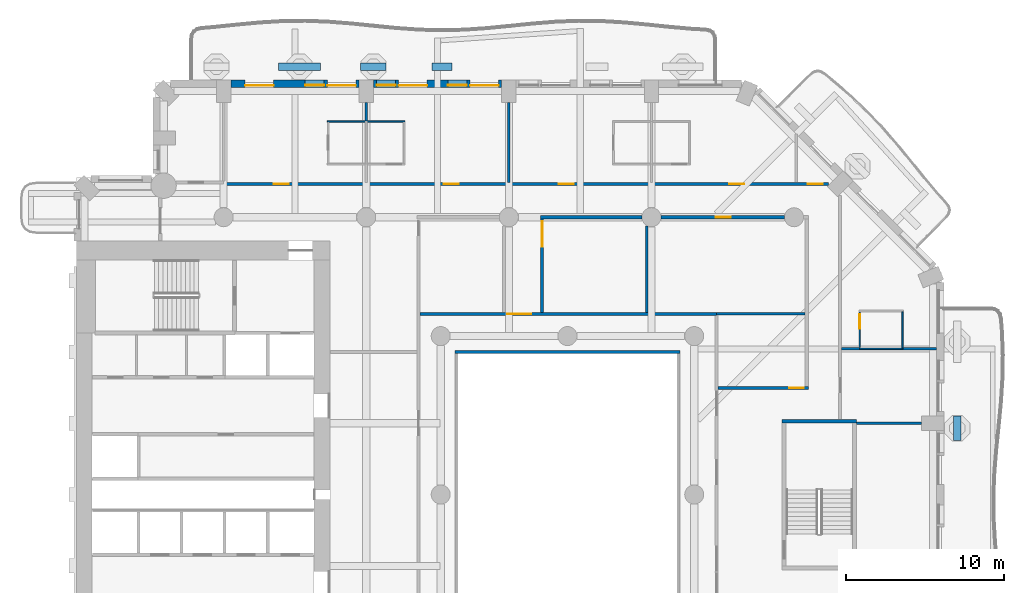
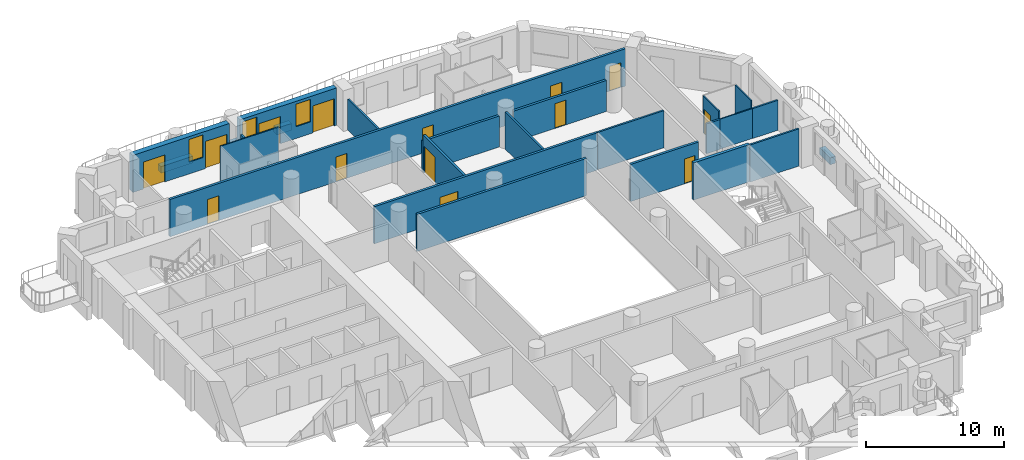
# One storey, part 8 of 19: 25 walls, 14 doors, 3 windows, 17 openings.
"""IFC4 building model written with IfcOpenShell, lengths in metres."""

from ifc_helpers import new_model, si_unit, direction, frame, frame_2d, origin, place, context, subcontext, project, spatial, rectangle, extrude, material, layer, layer_set, type_object, element, fill, save


model = new_model("IFC4")

# Units and contexts
model_context = context("Model", 3, precision=1e-05, world=origin(), true_north=direction((0.0, 1.0)))
body_context = subcontext(model_context, "Body", "Model", "MODEL_VIEW")
ifc_project = project(units=[si_unit("LENGTHUNIT", "METRE"), si_unit("AREAUNIT", "SQUARE_METRE"), si_unit("VOLUMEUNIT", "CUBIC_METRE"), si_unit("PLANEANGLEUNIT", "RADIAN"), si_unit("MASSUNIT", "GRAM", prefix="KILO")], contexts=[model_context])

# Site, building, storey
site_placement = place(None, origin())
site = spatial("IfcSite", under=ifc_project, at=site_placement, CompositionType="ELEMENT")
building_placement = place(site_placement, origin())
building = spatial("IfcBuilding", under=site, at=building_placement, Name="Cypress Arch Tower", CompositionType="ELEMENT")
storey_placement = place(building_placement, frame((0.0, 0.0, 66.300048828125)))
storey = spatial("IfcBuildingStorey", under=building, at=storey_placement, Name="L10", CompositionType="ELEMENT", Elevation=66.300048828125)

# Walls
ifc_material_1 = material(Name="Concrete C40/50, waterproofed", Category="concrete")
ifc_layer_1 = layer(ifc_material_1, 0.449951171875)
ifc_layer_set_1 = layer_set([ifc_layer_1], Name="Balcony planter wall PW450")
wall_type_1 = type_object("IfcWallType", Name="Balcony planter wall PW450", PredefinedType="SOLIDWALL", material=ifc_layer_set_1)
wall_1_placement = place(storey_placement, frame((25.60009765625, 3.42138671875, 0.0), z_axis=(0.0, 0.0, 1.0), x_axis=(0.0, 1.0, 0.0)))
element("IfcWall", 1, at=wall_1_placement, inside=storey, type_object=wall_type_1, Name="Balcony planter wall L10-A06.2", PredefinedType="SOLIDWALL", context=body_context, shape_type="SweptSolid", body=[
    extrude(rectangle(XDim=1.5224609375, YDim=0.449951171875, at=frame_2d((0.76123046875, 0.0))), origin(), (0.0, 0.0, 1.0), 0.599853515625),
])
wall_2_placement = place(storey_placement, frame((-6.300048828125, 27.0, 0.0), z_axis=(0.0, 0.0, 1.0), x_axis=(-1.0, 0.0, 0.0)))
element("IfcWall", 2, at=wall_2_placement, inside=storey, type_object=wall_type_1, Name="Balcony planter wall L10-A08.3", PredefinedType="SOLIDWALL", context=body_context, shape_type="SweptSolid", body=[
    extrude(rectangle(XDim=1.25, YDim=0.449951171875, at=frame_2d((0.625, 0.0))), origin(), (0.0, 0.0, 1.0), 0.599853515625),
])
wall_3_placement = place(storey_placement, frame((-10.4375, 27.0, 0.0), z_axis=(0.0, 0.0, 1.0), x_axis=(-1.0, 0.0, 0.0)))
element("IfcWall", 3, at=wall_3_placement, inside=storey, type_object=wall_type_1, Name="Balcony planter wall L10-A08.4", PredefinedType="SOLIDWALL", context=body_context, shape_type="SweptSolid", body=[
    extrude(rectangle(XDim=1.612548828125, YDim=0.449951171875, at=frame_2d((0.80615234375, 0.0))), origin(), (0.0, 0.0, 1.0), 0.599853515625),
])
wall_4_placement = place(storey_placement, frame((-14.574951171875, 27.0, 0.0), z_axis=(0.0, 0.0, 1.0), x_axis=(-1.0, 0.0, 0.0)))
element("IfcWall", 4, at=wall_4_placement, inside=storey, type_object=wall_type_1, Name="Balcony planter wall L10-A08.5", PredefinedType="SOLIDWALL", context=body_context, shape_type="SweptSolid", body=[
    extrude(rectangle(XDim=2.675048828125, YDim=0.449951171875, at=frame_2d((1.33740234375, 0.0))), origin(), (0.0, 0.0, 1.0), 0.599853515625),
])

# Wall, openings, doors, windows
ifc_material_2 = material(Name="Brick (red buff blend)", Category="masonry")
ifc_layer_2 = layer(ifc_material_2, 0.449951171875)
ifc_layer_set_2 = layer_set([ifc_layer_2], Name="Brick pier and spandrel wall BW450")
wall_type_2 = type_object("IfcWallType", Name="Brick pier and spandrel wall BW450", PredefinedType="SOLIDWALL", material=ifc_layer_set_2)
wall_5_placement = place(storey_placement, frame((-3.14990234375, 25.925048828125, 0.0), z_axis=(0.0, 0.0, 1.0), x_axis=(-1.0, 0.0, 0.0)))
wall_5 = element("IfcWall", 5, at=wall_5_placement, inside=storey, type_object=wall_type_2, Name="Brick wall L10 A08.2", PredefinedType="SOLIDWALL", context=body_context, shape_type="SweptSolid", body=[
    extrude(rectangle(XDim=8.10009765625, YDim=0.449951171875, at=frame_2d((4.050048828125, 0.0))), origin(), (0.0, 0.0, 1.0), 3.300048828125),
])
opening_1_placement = place(wall_5_placement, frame((0.199951171875, 0.0, 0.0)))
opening_1 = element("IfcOpeningElement", 6, at=opening_1_placement, cuts=wall_5, Name="Opening D-L10-A08.2.1", PredefinedType="OPENING", context=body_context, shape_type="SweptSolid", body=[
    extrude(rectangle(XDim=1.800048828125, YDim=2.39990234375, at=frame_2d((0.89990234375, 1.199951171875))), frame((0.0, 0.23486328125, 0.0), z_axis=(0.0, -1.0, 0.0), x_axis=(1.0, 0.0, 0.0)), (0.0, 0.0, 1.0), 0.469970703125),
])
opening_2_placement = place(wall_5_placement, frame((2.199951171875, 0.0, 1.050048828125)))
opening_2 = element("IfcOpeningElement", 7, at=opening_2_placement, cuts=wall_5, Name="Opening W120HD", PredefinedType="OPENING", context=body_context, shape_type="SweptSolid", body=[
    extrude(rectangle(XDim=1.199951171875, YDim=2.0, at=frame_2d((0.60009765625, 1.0))), frame((0.0, 0.23486328125, 0.0), z_axis=(0.0, -1.0, 0.0), x_axis=(1.0, 0.0, 0.0)), (0.0, 0.0, 1.0), 0.469970703125),
])
opening_3_placement = place(wall_5_placement, frame((4.699951171875, 0.0, 0.0)))
opening_3 = element("IfcOpeningElement", 8, at=opening_3_placement, cuts=wall_5, Name="Opening D-L10-A08.2.2", PredefinedType="OPENING", context=body_context, shape_type="SweptSolid", body=[
    extrude(rectangle(XDim=1.800048828125, YDim=2.39990234375, at=frame_2d((0.89990234375, 1.199951171875))), frame((0.0, 0.23486328125, 0.0), z_axis=(0.0, -1.0, 0.0), x_axis=(1.0, 0.0, 0.0)), (0.0, 0.0, 1.0), 0.469970703125),
])
opening_4_placement = place(wall_5_placement, frame((6.699951171875, 0.0, 1.050048828125)))
opening_4 = element("IfcOpeningElement", 9, at=opening_4_placement, cuts=wall_5, Name="Opening W120HD", PredefinedType="OPENING", context=body_context, shape_type="SweptSolid", body=[
    extrude(rectangle(XDim=1.199951171875, YDim=2.0, at=frame_2d((0.60009765625, 1.0))), frame((0.0, 0.23486328125, 0.0), z_axis=(0.0, -1.0, 0.0), x_axis=(1.0, 0.0, 0.0)), (0.0, 0.0, 1.0), 0.469970703125),
])
ifc_material_3 = material(Name="Anodised aluminium, bronze finish, laminated low-emissivity double glazing, large-missile impact rated", Category="aluminium")
door_type_1 = type_object("IfcDoorType", Name="Balcony sliding door 1800x2400", OperationType="SLIDING_TO_LEFT", PredefinedType="DOOR", material=ifc_material_3)
door_1_placement = place(opening_1_placement, origin())
door_1 = element("IfcDoor", 10, at=door_1_placement, inside=storey, type_object=door_type_1, Name="Balcony door L10 A08.2.1", OperationType="SLIDING_TO_LEFT", OverallHeight=2.39990234375, OverallWidth=1.800048828125, PredefinedType="DOOR", context=body_context, shape_type="SweptSolid", body=[
    extrude(rectangle(XDim=1.800048828125, YDim=2.39990234375, at=frame_2d((0.89990234375, 1.199951171875))), frame((0.0, 0.1298828125, 0.0), z_axis=(0.0, -1.0, 0.0), x_axis=(1.0, 0.0, 0.0)), (0.0, 0.0, 1.0), 0.050048828125),
])
fill(opening_1, door_1)
door_2_placement = place(opening_3_placement, origin())
door_2 = element("IfcDoor", 11, at=door_2_placement, inside=storey, type_object=door_type_1, Name="Balcony door L10 A08.2.2", OperationType="SLIDING_TO_LEFT", OverallHeight=2.39990234375, OverallWidth=1.800048828125, PredefinedType="DOOR", context=body_context, shape_type="SweptSolid", body=[
    extrude(rectangle(XDim=1.800048828125, YDim=2.39990234375, at=frame_2d((0.89990234375, 1.199951171875))), frame((0.0, 0.1298828125, 0.0), z_axis=(0.0, -1.0, 0.0), x_axis=(1.0, 0.0, 0.0)), (0.0, 0.0, 1.0), 0.050048828125),
])
fill(opening_3, door_2)
ifc_material_4 = material(Name="Anodised aluminium, bronze finish, laminated low-emissivity double glazing, large-missile impact rated", Category="aluminium")
window_type = type_object("IfcWindowType", Name="Window Hotel 1200x2000 debris-rated", PartitioningType="SINGLE_PANEL", PredefinedType="WINDOW", material=ifc_material_4)
window_1_placement = place(opening_2_placement, origin())
window_1 = element("IfcWindow", 12, at=window_1_placement, inside=storey, type_object=window_type, Name="Window L10 A08.2.1", OverallHeight=2.0, OverallWidth=1.199951171875, PartitioningType="SINGLE_PANEL", PredefinedType="WINDOW", context=body_context, shape_type="SweptSolid", body=[
    extrude(rectangle(XDim=1.199951171875, YDim=2.0, at=frame_2d((0.60009765625, 1.0))), frame((0.0, 0.135009765625, 0.0), z_axis=(0.0, -1.0, 0.0), x_axis=(1.0, 0.0, 0.0)), (0.0, 0.0, 1.0), 0.06005859375),
])
fill(opening_2, window_1)
window_2_placement = place(opening_4_placement, origin())
window_2 = element("IfcWindow", 13, at=window_2_placement, inside=storey, type_object=window_type, Name="Window L10 A08.2.2", OverallHeight=2.0, OverallWidth=1.199951171875, PartitioningType="SINGLE_PANEL", PredefinedType="WINDOW", context=body_context, shape_type="SweptSolid", body=[
    extrude(rectangle(XDim=1.199951171875, YDim=2.0, at=frame_2d((0.60009765625, 1.0))), frame((0.0, 0.135009765625, 0.0), z_axis=(0.0, -1.0, 0.0), x_axis=(1.0, 0.0, 0.0)), (0.0, 0.0, 1.0), 0.06005859375),
])
fill(opening_4, window_2)

# Wall, openings, doors, window
wall_6_placement = place(storey_placement, frame((-12.14990234375, 25.925048828125, 0.0), z_axis=(0.0, 0.0, 1.0), x_axis=(-1.0, 0.0, 0.0)))
wall_6 = element("IfcWall", 14, at=wall_6_placement, inside=storey, type_object=wall_type_2, Name="Brick wall L10 A08.3", PredefinedType="SOLIDWALL", context=body_context, shape_type="SweptSolid", body=[
    extrude(rectangle(XDim=8.10009765625, YDim=0.449951171875, at=frame_2d((4.050048828125, 0.0))), origin(), (0.0, 0.0, 1.0), 3.300048828125),
])
opening_5_placement = place(wall_6_placement, frame((0.199951171875, 0.0, 0.0)))
opening_5 = element("IfcOpeningElement", 15, at=opening_5_placement, cuts=wall_6, Name="Opening D-L10-A08.3.1", PredefinedType="OPENING", context=body_context, shape_type="SweptSolid", body=[
    extrude(rectangle(XDim=1.800048828125, YDim=2.39990234375, at=frame_2d((0.89990234375, 1.199951171875))), frame((0.0, 0.23486328125, 0.0), z_axis=(0.0, -1.0, 0.0), x_axis=(1.0, 0.0, 0.0)), (0.0, 0.0, 1.0), 0.469970703125),
])
opening_6_placement = place(wall_6_placement, frame((2.199951171875, 0.0, 1.050048828125)))
opening_6 = element("IfcOpeningElement", 16, at=opening_6_placement, cuts=wall_6, Name="Opening W120HD", PredefinedType="OPENING", context=body_context, shape_type="SweptSolid", body=[
    extrude(rectangle(XDim=1.199951171875, YDim=2.0, at=frame_2d((0.60009765625, 1.0))), frame((0.0, 0.23486328125, 0.0), z_axis=(0.0, -1.0, 0.0), x_axis=(1.0, 0.0, 0.0)), (0.0, 0.0, 1.0), 0.469970703125),
])
opening_7_placement = place(wall_6_placement, frame((5.39990234375, 0.0, 0.0)))
opening_7 = element("IfcOpeningElement", 17, at=opening_7_placement, cuts=wall_6, Name="Opening D-L10-A08.3.2", PredefinedType="OPENING", context=body_context, shape_type="SweptSolid", body=[
    extrude(rectangle(XDim=1.800048828125, YDim=2.39990234375, at=frame_2d((0.89990234375, 1.199951171875))), frame((0.0, 0.23486328125, 0.0), z_axis=(0.0, -1.0, 0.0), x_axis=(1.0, 0.0, 0.0)), (0.0, 0.0, 1.0), 0.469970703125),
])
door_3_placement = place(opening_5_placement, origin())
door_3 = element("IfcDoor", 18, at=door_3_placement, inside=storey, type_object=door_type_1, Name="Balcony door L10 A08.3.1", OperationType="SLIDING_TO_LEFT", OverallHeight=2.39990234375, OverallWidth=1.800048828125, PredefinedType="DOOR", context=body_context, shape_type="SweptSolid", body=[
    extrude(rectangle(XDim=1.800048828125, YDim=2.39990234375, at=frame_2d((0.89990234375, 1.199951171875))), frame((0.0, 0.1298828125, 0.0), z_axis=(0.0, -1.0, 0.0), x_axis=(1.0, 0.0, 0.0)), (0.0, 0.0, 1.0), 0.050048828125),
])
fill(opening_5, door_3)
door_4_placement = place(opening_7_placement, origin())
door_4 = element("IfcDoor", 19, at=door_4_placement, inside=storey, type_object=door_type_1, Name="Balcony door L10 A08.3.2", OperationType="SLIDING_TO_LEFT", OverallHeight=2.39990234375, OverallWidth=1.800048828125, PredefinedType="DOOR", context=body_context, shape_type="SweptSolid", body=[
    extrude(rectangle(XDim=1.800048828125, YDim=2.39990234375, at=frame_2d((0.89990234375, 1.199951171875))), frame((0.0, 0.1298828125, 0.0), z_axis=(0.0, -1.0, 0.0), x_axis=(1.0, 0.0, 0.0)), (0.0, 0.0, 1.0), 0.050048828125),
])
fill(opening_7, door_4)
window_3_placement = place(opening_6_placement, origin())
window_3 = element("IfcWindow", 20, at=window_3_placement, inside=storey, type_object=window_type, Name="Window L10 A08.3.1", OverallHeight=2.0, OverallWidth=1.199951171875, PartitioningType="SINGLE_PANEL", PredefinedType="WINDOW", context=body_context, shape_type="SweptSolid", body=[
    extrude(rectangle(XDim=1.199951171875, YDim=2.0, at=frame_2d((0.60009765625, 1.0))), frame((0.0, 0.135009765625, 0.0), z_axis=(0.0, -1.0, 0.0), x_axis=(1.0, 0.0, 0.0)), (0.0, 0.0, 1.0), 0.06005859375),
])
fill(opening_6, window_3)

# Wall, openings, doors
ifc_material_5 = material(Name="Concrete blockwork, plastered, rated", Category="masonry")
ifc_layer_3 = layer(ifc_material_5, 0.199951171875)
ifc_layer_set_3 = layer_set([ifc_layer_3], Name="Corridor wall FW200")
wall_type_3 = type_object("IfcWallType", Name="Corridor wall FW200", PredefinedType="PARTITIONING", material=ifc_layer_set_3)
wall_7_placement = place(storey_placement, frame((-20.699951171875, 19.60009765625, 0.0), z_axis=(0.0, 0.0, 1.0), x_axis=(1.0, 0.0, 0.0)))
wall_7 = element("IfcWall", 21, at=wall_7_placement, inside=storey, type_object=wall_type_3, Name="Corridor wall", PredefinedType="PARTITIONING", context=body_context, shape_type="SweptSolid", body=[
    extrude(rectangle(XDim=38.18359375, YDim=0.199951171875, at=frame_2d((19.091796875, 0.0))), origin(), (0.0, 0.0, 1.0), 3.300048828125),
])
opening_8_placement = place(wall_7_placement, frame((3.14990234375, 0.0, 0.0)))
opening_8 = element("IfcOpeningElement", 22, at=opening_8_placement, cuts=wall_7, Name="Opening D02", PredefinedType="OPENING", context=body_context, shape_type="SweptSolid", body=[
    extrude(rectangle(XDim=0.949951171875, YDim=2.199951171875, at=frame_2d((0.47509765625, 1.10009765625))), frame((0.0, 0.10986328125, 0.0), z_axis=(0.0, -1.0, 0.0), x_axis=(1.0, 0.0, 0.0)), (0.0, 0.0, 1.0), 0.219970703125),
])
opening_9_placement = place(wall_7_placement, frame((13.89990234375, 0.0, 0.0)))
opening_9 = element("IfcOpeningElement", 23, at=opening_9_placement, cuts=wall_7, Name="Opening D02", PredefinedType="OPENING", context=body_context, shape_type="SweptSolid", body=[
    extrude(rectangle(XDim=0.949951171875, YDim=2.199951171875, at=frame_2d((0.47509765625, 1.10009765625))), frame((0.0, 0.10986328125, 0.0), z_axis=(0.0, -1.0, 0.0), x_axis=(1.0, 0.0, 0.0)), (0.0, 0.0, 1.0), 0.219970703125),
])
opening_10_placement = place(wall_7_placement, frame((21.14990234375, 0.0, 0.0)))
opening_10 = element("IfcOpeningElement", 24, at=opening_10_placement, cuts=wall_7, Name="Opening D02", PredefinedType="OPENING", context=body_context, shape_type="SweptSolid", body=[
    extrude(rectangle(XDim=0.949951171875, YDim=2.199951171875, at=frame_2d((0.47509765625, 1.10009765625))), frame((0.0, 0.10986328125, 0.0), z_axis=(0.0, -1.0, 0.0), x_axis=(1.0, 0.0, 0.0)), (0.0, 0.0, 1.0), 0.219970703125),
])
opening_11_placement = place(wall_7_placement, frame((31.89990234375, 0.0, 0.0)))
opening_11 = element("IfcOpeningElement", 25, at=opening_11_placement, cuts=wall_7, Name="Opening D02", PredefinedType="OPENING", context=body_context, shape_type="SweptSolid", body=[
    extrude(rectangle(XDim=0.949951171875, YDim=2.199951171875, at=frame_2d((0.47509765625, 1.10009765625))), frame((0.0, 0.10986328125, 0.0), z_axis=(0.0, -1.0, 0.0), x_axis=(1.0, 0.0, 0.0)), (0.0, 0.0, 1.0), 0.219970703125),
])
opening_12_placement = place(wall_7_placement, frame((36.85009765625, 0.0, 0.0)))
opening_12 = element("IfcOpeningElement", 26, at=opening_12_placement, cuts=wall_7, Name="Opening D02", PredefinedType="OPENING", context=body_context, shape_type="SweptSolid", body=[
    extrude(rectangle(XDim=0.949951171875, YDim=2.199951171875, at=frame_2d((0.47509765625, 1.10009765625))), frame((0.0, 0.10986328125, 0.0), z_axis=(0.0, -1.0, 0.0), x_axis=(1.0, 0.0, 0.0)), (0.0, 0.0, 1.0), 0.219970703125),
])
ifc_material_6 = material(Name="Timber flush door, fire resisting", Category="wood")
door_type_2 = type_object("IfcDoorType", Name="Room door D02 950x2200", OperationType="SINGLE_SWING_LEFT", PredefinedType="DOOR", material=ifc_material_6)
door_5_placement = place(opening_8_placement, origin())
door_5 = element("IfcDoor", 27, at=door_5_placement, inside=storey, type_object=door_type_2, Name="Room door", OperationType="SINGLE_SWING_LEFT", OverallHeight=2.199951171875, OverallWidth=0.949951171875, PredefinedType="DOOR", context=body_context, shape_type="SweptSolid", body=[
    extrude(rectangle(XDim=0.949951171875, YDim=2.199951171875, at=frame_2d((0.47509765625, 1.10009765625))), frame((0.0, 0.02490234375, 0.0), z_axis=(0.0, -1.0, 0.0), x_axis=(1.0, 0.0, 0.0)), (0.0, 0.0, 1.0), 0.050048828125),
])
fill(opening_8, door_5)
door_6_placement = place(opening_9_placement, origin())
door_6 = element("IfcDoor", 28, at=door_6_placement, inside=storey, type_object=door_type_2, Name="Room door", OperationType="SINGLE_SWING_LEFT", OverallHeight=2.199951171875, OverallWidth=0.949951171875, PredefinedType="DOOR", context=body_context, shape_type="SweptSolid", body=[
    extrude(rectangle(XDim=0.949951171875, YDim=2.199951171875, at=frame_2d((0.47509765625, 1.10009765625))), frame((0.0, 0.02490234375, 0.0), z_axis=(0.0, -1.0, 0.0), x_axis=(1.0, 0.0, 0.0)), (0.0, 0.0, 1.0), 0.050048828125),
])
fill(opening_9, door_6)
door_7_placement = place(opening_10_placement, origin())
door_7 = element("IfcDoor", 29, at=door_7_placement, inside=storey, type_object=door_type_2, Name="Room door", OperationType="SINGLE_SWING_RIGHT", OverallHeight=2.199951171875, OverallWidth=0.949951171875, PredefinedType="DOOR", context=body_context, shape_type="SweptSolid", body=[
    extrude(rectangle(XDim=0.949951171875, YDim=2.199951171875, at=frame_2d((0.47509765625, 1.10009765625))), frame((0.0, 0.02490234375, 0.0), z_axis=(0.0, -1.0, 0.0), x_axis=(1.0, 0.0, 0.0)), (0.0, 0.0, 1.0), 0.050048828125),
])
fill(opening_10, door_7)
door_8_placement = place(opening_11_placement, origin())
door_8 = element("IfcDoor", 30, at=door_8_placement, inside=storey, type_object=door_type_2, Name="Room door", OperationType="SINGLE_SWING_RIGHT", OverallHeight=2.199951171875, OverallWidth=0.949951171875, PredefinedType="DOOR", context=body_context, shape_type="SweptSolid", body=[
    extrude(rectangle(XDim=0.949951171875, YDim=2.199951171875, at=frame_2d((0.47509765625, 1.10009765625))), frame((0.0, 0.02490234375, 0.0), z_axis=(0.0, -1.0, 0.0), x_axis=(1.0, 0.0, 0.0)), (0.0, 0.0, 1.0), 0.050048828125),
])
fill(opening_11, door_8)
door_9_placement = place(opening_12_placement, origin())
door_9 = element("IfcDoor", 31, at=door_9_placement, inside=storey, type_object=door_type_2, Name="Room door", OperationType="SINGLE_SWING_LEFT", OverallHeight=2.199951171875, OverallWidth=0.949951171875, PredefinedType="DOOR", context=body_context, shape_type="SweptSolid", body=[
    extrude(rectangle(XDim=0.949951171875, YDim=2.199951171875, at=frame_2d((0.47509765625, 1.10009765625))), frame((0.0, 0.02490234375, 0.0), z_axis=(0.0, -1.0, 0.0), x_axis=(1.0, 0.0, 0.0)), (0.0, 0.0, 1.0), 0.050048828125),
])
fill(opening_12, door_9)

# Wall, opening, door
wall_8_placement = place(storey_placement, frame((-8.300048828125, 11.39990234375, 0.0), z_axis=(0.0, 0.0, 1.0), x_axis=(1.0, 0.0, 0.0)))
wall_8 = element("IfcWall", 32, at=wall_8_placement, inside=storey, type_object=wall_type_3, Name="Corridor wall", PredefinedType="PARTITIONING", context=body_context, shape_type="SweptSolid", body=[
    extrude(rectangle(XDim=18.699951171875, YDim=0.199951171875, at=frame_2d((9.35009765625, 0.0))), origin(), (0.0, 0.0, 1.0), 3.300048828125),
])
opening_13_placement = place(wall_8_placement, frame((5.5, 0.0, 0.0)))
opening_13 = element("IfcOpeningElement", 33, at=opening_13_placement, cuts=wall_8, Name="Opening D04", PredefinedType="OPENING", context=body_context, shape_type="SweptSolid", body=[
    extrude(rectangle(XDim=1.5, YDim=2.199951171875, at=frame_2d((0.75, 1.10009765625))), frame((0.0, 0.10986328125, 0.0), z_axis=(0.0, -1.0, 0.0), x_axis=(1.0, 0.0, 0.0)), (0.0, 0.0, 1.0), 0.219970703125),
])
ifc_material_7 = material(Name="Timber double door", Category="wood")
door_type_3 = type_object("IfcDoorType", Name="Double door D04 1500x2200", OperationType="DOUBLE_DOOR_SINGLE_SWING", PredefinedType="DOOR", material=ifc_material_7)
door_10_placement = place(opening_13_placement, origin())
door_10 = element("IfcDoor", 34, at=door_10_placement, inside=storey, type_object=door_type_3, Name="Double door", OperationType="DOUBLE_DOOR_SINGLE_SWING", OverallHeight=2.199951171875, OverallWidth=1.5, PredefinedType="DOOR", context=body_context, shape_type="SweptSolid", body=[
    extrude(rectangle(XDim=1.5, YDim=2.199951171875, at=frame_2d((0.75, 1.10009765625))), frame((0.0, 0.02490234375, 0.0), z_axis=(0.0, -1.0, 0.0), x_axis=(1.0, 0.0, 0.0)), (0.0, 0.0, 1.0), 0.050048828125),
])
fill(opening_13, door_10)

# Wall
wall_9_placement = place(storey_placement, frame((-6.10009765625, 9.0, 0.0), z_axis=(0.0, 0.0, 1.0), x_axis=(1.0, 0.0, 0.0)))
element("IfcWall", 35, at=wall_9_placement, inside=storey, type_object=wall_type_3, Name="Corridor wall", PredefinedType="PARTITIONING", context=body_context, shape_type="SweptSolid", body=[
    extrude(rectangle(XDim=14.2001953125, YDim=0.199951171875, at=frame_2d((7.10009765625, 0.0))), origin(), (0.0, 0.0, 1.0), 3.300048828125),
])

# Wall, opening, door
wall_10_placement = place(storey_placement, frame((-0.60009765625, 11.5, 0.0), z_axis=(0.0, 0.0, 1.0), x_axis=(0.0, 1.0, 0.0)))
wall_10 = element("IfcWall", 36, at=wall_10_placement, inside=storey, type_object=wall_type_3, Name="Corridor wall", PredefinedType="PARTITIONING", context=body_context, shape_type="SweptSolid", body=[
    extrude(rectangle(XDim=5.89990234375, YDim=0.199951171875, at=frame_2d((2.949951171875, 0.0))), origin(), (0.0, 0.0, 1.0), 3.300048828125),
])
opening_14_placement = place(wall_10_placement, frame((4.14990234375, 0.0, 0.0)))
opening_14 = element("IfcOpeningElement", 37, at=opening_14_placement, cuts=wall_10, Name="Opening D10", PredefinedType="OPENING", context=body_context, shape_type="SweptSolid", body=[
    extrude(rectangle(XDim=1.60009765625, YDim=2.39990234375, at=frame_2d((0.800048828125, 1.199951171875))), frame((0.0, 0.10986328125, 0.0), z_axis=(0.0, -1.0, 0.0), x_axis=(1.0, 0.0, 0.0)), (0.0, 0.0, 1.0), 0.219970703125),
])
ifc_material_8 = material(Name="Black aluminium glazed door", Category="aluminium")
door_type_4 = type_object("IfcDoorType", Name="Amenity door D10 1600x2400", OperationType="DOUBLE_DOOR_SINGLE_SWING", PredefinedType="DOOR", material=ifc_material_8)
door_11_placement = place(opening_14_placement, origin())
door_11 = element("IfcDoor", 38, at=door_11_placement, inside=storey, type_object=door_type_4, Name="Amenity door", OperationType="DOUBLE_DOOR_SINGLE_SWING", OverallHeight=2.39990234375, OverallWidth=1.60009765625, PredefinedType="DOOR", context=body_context, shape_type="SweptSolid", body=[
    extrude(rectangle(XDim=1.60009765625, YDim=2.39990234375, at=frame_2d((0.800048828125, 1.199951171875))), frame((0.0, 0.02490234375, 0.0), z_axis=(0.0, -1.0, 0.0), x_axis=(1.0, 0.0, 0.0)), (0.0, 0.0, 1.0), 0.050048828125),
])
fill(opening_14, door_11)

# Wall
wall_11_placement = place(storey_placement, frame((-0.699951171875, 17.5, 0.0), z_axis=(0.0, 0.0, 1.0), x_axis=(1.0, 0.0, 0.0)))
element("IfcWall", 39, at=wall_11_placement, inside=storey, type_object=wall_type_3, Name="Corridor wall", PredefinedType="PARTITIONING", context=body_context, shape_type="SweptSolid", body=[
    extrude(rectangle(XDim=6.39990234375, YDim=0.199951171875, at=frame_2d((3.199951171875, 0.0))), origin(), (0.0, 0.0, 1.0), 2.75),
])

# Wall, opening, door
wall_12_placement = place(storey_placement, frame((6.89990234375, 17.5, 0.0), z_axis=(0.0, 0.0, 1.0), x_axis=(1.0, 0.0, 0.0)))
wall_12 = element("IfcWall", 40, at=wall_12_placement, inside=storey, type_object=wall_type_3, Name="Corridor wall", PredefinedType="PARTITIONING", context=body_context, shape_type="SweptSolid", body=[
    extrude(rectangle(XDim=7.800048828125, YDim=0.199951171875, at=frame_2d((3.89990234375, 0.0))), origin(), (0.0, 0.0, 1.0), 2.75),
])
opening_15_placement = place(wall_12_placement, frame((3.449951171875, 0.0, 0.0)))
opening_15 = element("IfcOpeningElement", 41, at=opening_15_placement, cuts=wall_12, Name="Opening D02", PredefinedType="OPENING", context=body_context, shape_type="SweptSolid", body=[
    extrude(rectangle(XDim=0.949951171875, YDim=2.199951171875, at=frame_2d((0.47509765625, 1.10009765625))), frame((0.0, 0.10986328125, 0.0), z_axis=(0.0, -1.0, 0.0), x_axis=(1.0, 0.0, 0.0)), (0.0, 0.0, 1.0), 0.219970703125),
])
door_12_placement = place(opening_15_placement, origin())
door_12 = element("IfcDoor", 42, at=door_12_placement, inside=storey, type_object=door_type_2, Name="Room door", OperationType="SINGLE_SWING_LEFT", OverallHeight=2.199951171875, OverallWidth=0.949951171875, PredefinedType="DOOR", context=body_context, shape_type="SweptSolid", body=[
    extrude(rectangle(XDim=0.949951171875, YDim=2.199951171875, at=frame_2d((0.47509765625, 1.10009765625))), frame((0.0, 0.02490234375, 0.0), z_axis=(0.0, -1.0, 0.0), x_axis=(1.0, 0.0, 0.0)), (0.0, 0.0, 1.0), 0.050048828125),
])
fill(opening_15, door_12)

wall_13_placement = place(storey_placement, frame((10.5, 6.72509765625, 0.0), z_axis=(0.0, 0.0, 1.0), x_axis=(1.0, 0.0, 0.0)))
wall_13 = element("IfcWall", 43, at=wall_13_placement, inside=storey, type_object=wall_type_3, Name="Corridor wall", PredefinedType="PARTITIONING", context=body_context, shape_type="SweptSolid", body=[
    extrude(rectangle(XDim=5.699951171875, YDim=0.199951171875, at=frame_2d((2.85009765625, 0.0))), origin(), (0.0, 0.0, 1.0), 3.300048828125),
])
opening_16_placement = place(wall_13_placement, frame((4.5, 0.0, 0.0)))
opening_16 = element("IfcOpeningElement", 44, at=opening_16_placement, cuts=wall_13, Name="Opening D05", PredefinedType="OPENING", context=body_context, shape_type="SweptSolid", body=[
    extrude(rectangle(XDim=0.89990234375, YDim=2.199951171875, at=frame_2d((0.449951171875, 1.10009765625))), frame((0.0, 0.10986328125, 0.0), z_axis=(0.0, -1.0, 0.0), x_axis=(1.0, 0.0, 0.0)), (0.0, 0.0, 1.0), 0.219970703125),
])
ifc_material_9 = material(Name="Timber flush door", Category="wood")
door_type_5 = type_object("IfcDoorType", Name="Service door D05 900x2200", OperationType="SINGLE_SWING_LEFT", PredefinedType="DOOR", material=ifc_material_9)
door_13_placement = place(opening_16_placement, origin())
door_13 = element("IfcDoor", 45, at=door_13_placement, inside=storey, type_object=door_type_5, Name="Service door", OperationType="SINGLE_SWING_RIGHT", OverallHeight=2.199951171875, OverallWidth=0.89990234375, PredefinedType="DOOR", context=body_context, shape_type="SweptSolid", body=[
    extrude(rectangle(XDim=0.89990234375, YDim=2.199951171875, at=frame_2d((0.449951171875, 1.10009765625))), frame((0.0, 0.02490234375, 0.0), z_axis=(0.0, -1.0, 0.0), x_axis=(1.0, 0.0, 0.0)), (0.0, 0.0, 1.0), 0.050048828125),
])
fill(opening_16, door_13)

# Walls
ifc_material_10 = material(Name="Blockwork, plastered both sides", Category="masonry")
ifc_layer_4 = layer(ifc_material_10, 0.14990234375)
ifc_layer_set_4 = layer_set([ifc_layer_4], Name="Partition PW150")
wall_type_4 = type_object("IfcWallType", Name="Partition PW150", PredefinedType="PARTITIONING", material=ifc_layer_set_4)
wall_14_placement = place(storey_placement, frame((-11.699951171875, 23.570068359375, 0.0), z_axis=(0.0, 0.0, 1.0), x_axis=(0.0, 1.0, 0.0)))
element("IfcWall", 46, at=wall_14_placement, inside=storey, type_object=wall_type_4, Name="Partition", PredefinedType="PARTITIONING", context=body_context, shape_type="SweptSolid", body=[
    extrude(rectangle(XDim=1.179931640625, YDim=0.14990234375, at=frame_2d((0.58984375, 0.0))), origin(), (0.0, 0.0, 1.0), 2.75),
])
wall_15_placement = place(storey_placement, frame((-2.699951171875, 19.699951171875, 0.0), z_axis=(0.0, 0.0, 1.0), x_axis=(0.0, 1.0, 0.0)))
element("IfcWall", 47, at=wall_15_placement, inside=storey, type_object=wall_type_4, Name="Partition", PredefinedType="PARTITIONING", context=body_context, shape_type="SweptSolid", body=[
    extrude(rectangle(XDim=5.050048828125, YDim=0.14990234375, at=frame_2d((2.52490234375, 0.0))), origin(), (0.0, 0.0, 1.0), 2.75),
])
wall_16_placement = place(storey_placement, frame((6.0, 11.5, 0.0), z_axis=(0.0, 0.0, 1.0), x_axis=(0.0, 1.0, 0.0)))
element("IfcWall", 48, at=wall_16_placement, inside=storey, type_object=wall_type_4, Name="Partition", PredefinedType="PARTITIONING", context=body_context, shape_type="SweptSolid", body=[
    extrude(rectangle(XDim=5.453369140625, YDim=0.14990234375, at=frame_2d((2.7265625, 0.0))), origin(), (0.0, 0.0, 1.0), 3.300048828125),
])
wall_17_placement = place(storey_placement, frame((10.39990234375, 11.39990234375, 0.0), z_axis=(0.0, 0.0, 1.0), x_axis=(1.0, 0.0, 0.0)))
element("IfcWall", 49, at=wall_17_placement, inside=storey, type_object=wall_type_4, Name="Partition", PredefinedType="PARTITIONING", context=body_context, shape_type="SweptSolid", body=[
    extrude(rectangle(XDim=5.60009765625, YDim=0.14990234375, at=frame_2d((2.800048828125, 0.0))), origin(), (0.0, 0.0, 1.0), 3.300048828125),
])
wall_18_placement = place(storey_placement, frame((18.300048828125, 9.18994140625, 0.0), z_axis=(0.0, 0.0, 1.0), x_axis=(1.0, 0.0, 0.0)))
element("IfcWall", 50, at=wall_18_placement, inside=storey, type_object=wall_type_4, Name="Partition", PredefinedType="PARTITIONING", context=body_context, shape_type="SweptSolid", body=[
    extrude(rectangle(XDim=1.1298828125, YDim=0.14990234375, at=frame_2d((0.56494140625, 0.0))), origin(), (0.0, 0.0, 1.0), 2.64990234375),
])
wall_19_placement = place(storey_placement, frame((19.25, 4.5, 0.0), z_axis=(0.0, 0.0, 1.0), x_axis=(1.0, 0.0, 0.0)))
element("IfcWall", 51, at=wall_19_placement, inside=storey, type_object=wall_type_4, Name="Partition", PredefinedType="PARTITIONING", context=body_context, shape_type="SweptSolid", body=[
    extrude(rectangle(XDim=4.10009765625, YDim=0.14990234375, at=frame_2d((2.050048828125, 0.0))), origin(), (0.0, 0.0, 1.0), 3.300048828125),
])
wall_20_placement = place(storey_placement, frame((22.169921875, 9.18994140625, 0.0), z_axis=(0.0, 0.0, 1.0), x_axis=(1.0, 0.0, 0.0)))
element("IfcWall", 52, at=wall_20_placement, inside=storey, type_object=wall_type_4, Name="Partition", PredefinedType="PARTITIONING", context=body_context, shape_type="SweptSolid", body=[
    extrude(rectangle(XDim=2.130126953125, YDim=0.14990234375, at=frame_2d((1.06494140625, 0.0))), origin(), (0.0, 0.0, 1.0), 2.64990234375),
])
ifc_material_11 = material(Name="Concrete C50/60", Category="concrete")
ifc_layer_5 = layer(ifc_material_11, 0.25)
ifc_layer_set_5 = layer_set([ifc_layer_5], Name="Stair enclosure wall SW250")
wall_type_5 = type_object("IfcWallType", Name="Stair enclosure wall SW250", PredefinedType="SHEAR", material=ifc_layer_set_5)
wall_21_placement = place(storey_placement, frame((14.550048828125, 4.625, 0.0), z_axis=(0.0, 0.0, 1.0), x_axis=(1.0, 0.0, 0.0)))
element("IfcWall", 53, at=wall_21_placement, inside=storey, type_object=wall_type_5, Name="Stair enclosure wall", PredefinedType="SHEAR", context=body_context, shape_type="SweptSolid", body=[
    extrude(rectangle(XDim=4.699951171875, YDim=0.25, at=frame_2d((2.35009765625, 0.0))), origin(), (0.0, 0.0, 1.0), 3.300048828125),
])
ifc_material_12 = material(Name="Moisture resistant board on steel studs, tiled", Category="steel")
ifc_layer_6 = layer(ifc_material_12, 0.10009765625)
ifc_layer_set_6 = layer_set([ifc_layer_6], Name="Wet wall PW100")
wall_type_6 = type_object("IfcWallType", Name="Wet wall PW100", PredefinedType="PARTITIONING", material=ifc_layer_set_6)
wall_22_placement = place(storey_placement, frame((-14.14599609375, 23.550048828125, 0.0), z_axis=(0.0, 0.0, 1.0), x_axis=(1.0, 0.0, 0.0)))
element("IfcWall", 54, at=wall_22_placement, inside=storey, type_object=wall_type_6, Name="Wet wall", PredefinedType="PARTITIONING", context=body_context, shape_type="SweptSolid", body=[
    extrude(rectangle(XDim=4.89208984375, YDim=0.10009765625, at=frame_2d((2.446044921875, 0.0))), origin(), (0.0, 0.0, 1.0), 3.300048828125),
])
wall_23_placement = place(storey_placement, frame((19.429931640625, 9.18994140625, 0.0), z_axis=(0.0, 0.0, 1.0), x_axis=(1.0, 0.0, 0.0)))
element("IfcWall", 55, at=wall_23_placement, inside=storey, type_object=wall_type_6, Name="Wet wall", PredefinedType="PARTITIONING", context=body_context, shape_type="SweptSolid", body=[
    extrude(rectangle(XDim=2.739990234375, YDim=0.10009765625, at=frame_2d((1.3701171875, 0.0))), origin(), (0.0, 0.0, 1.0), 2.64990234375),
])

# Wall, opening, door
wall_24_placement = place(storey_placement, frame((19.449951171875, 9.264892578125, 0.0), z_axis=(0.0, 0.0, 1.0), x_axis=(0.0, 1.0, 0.0)))
wall_24 = element("IfcWall", 56, at=wall_24_placement, inside=storey, type_object=wall_type_6, Name="Wet wall", PredefinedType="PARTITIONING", context=body_context, shape_type="SweptSolid", body=[
    extrude(rectangle(XDim=2.27099609375, YDim=0.10009765625, at=frame_2d((1.135498046875, 0.0))), origin(), (0.0, 0.0, 1.0), 3.300048828125),
])
opening_17_placement = place(wall_24_placement, frame((1.199951171875, 0.0, 0.0)))
opening_17 = element("IfcOpeningElement", 57, at=opening_17_placement, cuts=wall_24, Name="Opening D03", PredefinedType="OPENING", context=body_context, shape_type="SweptSolid", body=[
    extrude(rectangle(XDim=0.89990234375, YDim=2.199951171875, at=frame_2d((0.449951171875, 1.10009765625))), frame((0.0, 0.06005859375, 0.0), z_axis=(0.0, -1.0, 0.0), x_axis=(1.0, 0.0, 0.0)), (0.0, 0.0, 1.0), 0.1201171875),
])
ifc_material_13 = material(Name="Timber flush door, moisture resistant", Category="wood")
door_type_6 = type_object("IfcDoorType", Name="Bathroom door D03 900x2200", OperationType="SINGLE_SWING_LEFT", PredefinedType="DOOR", material=ifc_material_13)
door_14_placement = place(opening_17_placement, origin())
door_14 = element("IfcDoor", 58, at=door_14_placement, inside=storey, type_object=door_type_6, Name="Bathroom door", OperationType="SINGLE_SWING_LEFT", OverallHeight=2.199951171875, OverallWidth=0.89990234375, PredefinedType="DOOR", context=body_context, shape_type="SweptSolid", body=[
    extrude(rectangle(XDim=0.89990234375, YDim=2.199951171875, at=frame_2d((0.449951171875, 1.10009765625))), frame((0.0, 0.02490234375, 0.0), z_axis=(0.0, -1.0, 0.0), x_axis=(1.0, 0.0, 0.0)), (0.0, 0.0, 1.0), 0.050048828125),
])
fill(opening_17, door_14)

# Wall
wall_25_placement = place(storey_placement, frame((22.14990234375, 9.239990234375, 0.0), z_axis=(0.0, 0.0, 1.0), x_axis=(0.0, 1.0, 0.0)))
element("IfcWall", 59, at=wall_25_placement, inside=storey, type_object=wall_type_6, Name="Wet wall", PredefinedType="PARTITIONING", context=body_context, shape_type="SweptSolid", body=[
    extrude(rectangle(XDim=2.2958984375, YDim=0.10009765625, at=frame_2d((1.14794921875, 0.0))), origin(), (0.0, 0.0, 1.0), 3.300048828125),
])

save(model, "model.ifc")
